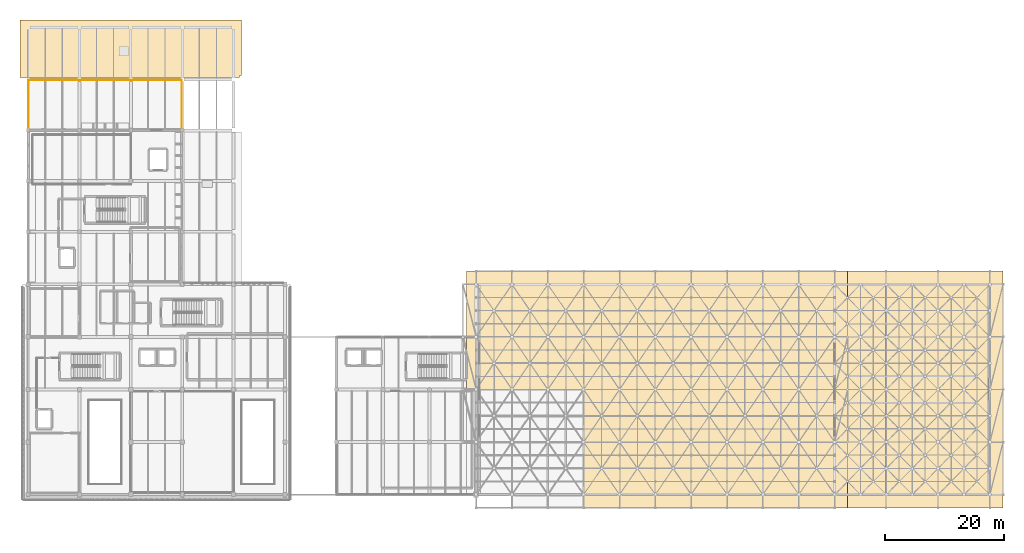
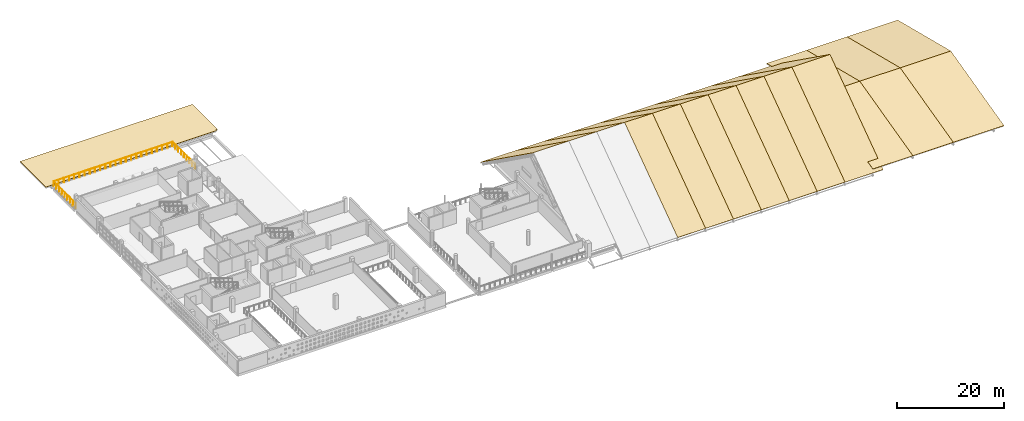
# One storey, part 55 of 55: 24 coverings, 3 railings.
"""IFC4 building model written with IfcOpenShell, lengths in metres."""

from ifc_helpers import new_model, si_unit, direction, frame, origin, origin_2d, place, context, subcontext, project, spatial, polyline, circle, outline, extrude, material, layer, layer_set, type_object, element, save


model = new_model("IFC4")

# Units and contexts
model_context = context("Model", 3, precision=1e-05, world=origin(), true_north=direction((0.0, 1.0)))
body_context = subcontext(model_context, "Body", "Model", "MODEL_VIEW")
ifc_project = project(units=[si_unit("LENGTHUNIT", "METRE"), si_unit("AREAUNIT", "SQUARE_METRE"), si_unit("VOLUMEUNIT", "CUBIC_METRE"), si_unit("PLANEANGLEUNIT", "RADIAN"), si_unit("MASSUNIT", "GRAM", prefix="KILO")], contexts=[model_context])

# Site, building, storey
site_placement = place(None, origin())
site = spatial("IfcSite", under=ifc_project, at=site_placement, CompositionType="ELEMENT")
building_placement = place(site_placement, origin())
building = spatial("IfcBuilding", under=site, at=building_placement, Name="Varnakota Cinema and Media Centre", CompositionType="ELEMENT")
storey_placement = place(building_placement, frame((0.0, 0.0, 15.60009765625)))
storey = spatial("IfcBuildingStorey", under=building, at=storey_placement, Name="L04", CompositionType="ELEMENT", Elevation=15.60009765625)

# Coverings
ifc_material_1 = material(Name="Pale Tandur limestone cool roof", Category="masonry")
ifc_layer_1 = layer(ifc_material_1, 0.080078125)
ifc_layer_set_1 = layer_set([ifc_layer_1], Name="Pale Tandur limestone cool roof")
covering_type = type_object("IfcCoveringType", Name="COV-COOLROOF-80", PredefinedType="ROOFING", material=ifc_layer_set_1)
covering_1_placement = place(storey_placement, frame((73.39990234375, 17.60009765625, 13.409912109375), z_axis=(0.0, 0.582117022421, 0.813105019175), x_axis=(1.0, 0.0, 0.0)))
element("IfcCovering", 1, at=covering_1_placement, inside=storey, type_object=covering_type, Name="V1 cool-roof acoustic standing-seam panel N-1", PredefinedType="ROOFING", context=body_context, shape_type="SweptSolid", body=[
    extrude(outline(polyline([(0.0, 0.0), (7.60009765625, 0.0), (7.60009765625, 24.35085778659296), (0.0, 24.35085778659296), (0.0, 0.0)])), origin(), (0.0, 0.0, -1.0), 0.080078125),
])
for number, where, z_axis, x_axis, name in (
    (2, (81.0, 17.60009765625, 13.409912109375), (0.0, 0.582117022421, 0.813105019175), (1.0, 0.0, 0.0), "V1 cool-roof acoustic standing-seam panel N-2"),
    (3, (87.0, 17.60009765625, 13.409912109375), (0.0, 0.582117022421, 0.813105019175), (1.0, 0.0, 0.0), "V1 cool-roof acoustic standing-seam panel N-3"),
):
    element("IfcCovering", number, at=place(storey_placement, frame(where, z_axis=z_axis, x_axis=x_axis)), inside=storey, type_object=covering_type, Name=name, PredefinedType="ROOFING", context=body_context, shape_type="SweptSolid", body=[
        extrude(outline(polyline([(0.0, 0.0), (6.0, 0.0), (6.0, 24.35085778659296), (0.0, 24.35085778659296), (0.0, 0.0)])), origin(), (0.0, 0.0, -1.0), 0.080078125),
    ])
covering_2_placement = place(storey_placement, frame((93.0, -2.199951171875, -0.76513671875), z_axis=(0.0, -0.582112276941, 0.813108416531), x_axis=(1.0, 0.0, 0.0)))
element("IfcCovering", 4, at=covering_2_placement, inside=storey, type_object=covering_type, Name="V1 cool-roof acoustic standing-seam panel S-4", PredefinedType="ROOFING", context=body_context, shape_type="SweptSolid", body=[
    extrude(outline(polyline([(0.0, 0.0), (6.0, 0.0), (6.0, 24.351056298975248), (0.0, 24.351056298975248), (0.0, 0.0)])), origin(), (0.0, 0.0, -1.0), 0.080078125),
])
covering_3_placement = place(storey_placement, frame((93.0, 17.60009765625, 13.409912109375), z_axis=(0.0, 0.582117022421, 0.813105019175), x_axis=(1.0, 0.0, 0.0)))
element("IfcCovering", 5, at=covering_3_placement, inside=storey, type_object=covering_type, Name="V1 cool-roof acoustic standing-seam panel N-4", PredefinedType="ROOFING", context=body_context, shape_type="SweptSolid", body=[
    extrude(outline(polyline([(0.0, 0.0), (6.0, 0.0), (6.0, 24.35085778659296), (0.0, 24.35085778659296), (0.0, 0.0)])), origin(), (0.0, 0.0, -1.0), 0.080078125),
])
covering_4_placement = place(storey_placement, frame((99.0, -2.199951171875, -0.76513671875), z_axis=(0.0, -0.582112276941, 0.813108416531), x_axis=(1.0, 0.0, 0.0)))
element("IfcCovering", 6, at=covering_4_placement, inside=storey, type_object=covering_type, Name="V1 cool-roof acoustic standing-seam panel S-5", PredefinedType="ROOFING", context=body_context, shape_type="SweptSolid", body=[
    extrude(outline(polyline([(0.0, 0.0), (6.0, 0.0), (6.0, 24.351056298975248), (0.0, 24.351056298975248), (0.0, 0.0)])), origin(), (0.0, 0.0, -1.0), 0.080078125),
])
covering_5_placement = place(storey_placement, frame((99.0, 17.60009765625, 13.409912109375), z_axis=(0.0, 0.582117022421, 0.813105019175), x_axis=(1.0, 0.0, 0.0)))
element("IfcCovering", 7, at=covering_5_placement, inside=storey, type_object=covering_type, Name="V1 cool-roof acoustic standing-seam panel N-5", PredefinedType="ROOFING", context=body_context, shape_type="SweptSolid", body=[
    extrude(outline(polyline([(0.0, 0.0), (6.0, 0.0), (6.0, 24.35085778659296), (0.0, 24.35085778659296), (0.0, 0.0)])), origin(), (0.0, 0.0, -1.0), 0.080078125),
])
covering_6_placement = place(storey_placement, frame((105.0, -2.199951171875, -0.76513671875), z_axis=(0.0, -0.582112276941, 0.813108416531), x_axis=(1.0, 0.0, 0.0)))
element("IfcCovering", 8, at=covering_6_placement, inside=storey, type_object=covering_type, Name="V1 cool-roof acoustic standing-seam panel S-6", PredefinedType="ROOFING", context=body_context, shape_type="SweptSolid", body=[
    extrude(outline(polyline([(0.0, 0.0), (6.0, 0.0), (6.0, 24.351056298975248), (0.0, 24.351056298975248), (0.0, 0.0)])), origin(), (0.0, 0.0, -1.0), 0.080078125),
])
covering_7_placement = place(storey_placement, frame((105.0, 17.60009765625, 13.409912109375), z_axis=(0.0, 0.582117022421, 0.813105019175), x_axis=(1.0, 0.0, 0.0)))
element("IfcCovering", 9, at=covering_7_placement, inside=storey, type_object=covering_type, Name="V1 cool-roof acoustic standing-seam panel N-6", PredefinedType="ROOFING", context=body_context, shape_type="SweptSolid", body=[
    extrude(outline(polyline([(0.0, 0.0), (6.0, 0.0), (6.0, 24.35085778659296), (0.0, 24.35085778659296), (0.0, 0.0)])), origin(), (0.0, 0.0, -1.0), 0.080078125),
])
covering_8_placement = place(storey_placement, frame((111.0, -2.199951171875, -0.76513671875), z_axis=(0.0, -0.582112276941, 0.813108416531), x_axis=(1.0, 0.0, 0.0)))
element("IfcCovering", 10, at=covering_8_placement, inside=storey, type_object=covering_type, Name="V1 cool-roof acoustic standing-seam panel S-7", PredefinedType="ROOFING", context=body_context, shape_type="SweptSolid", body=[
    extrude(outline(polyline([(0.0, 0.0), (6.0, 0.0), (6.0, 24.351056298975248), (0.0, 24.351056298975248), (0.0, 0.0)])), origin(), (0.0, 0.0, -1.0), 0.080078125),
])
covering_9_placement = place(storey_placement, frame((111.0, 17.60009765625, 13.409912109375), z_axis=(0.0, 0.582117022421, 0.813105019175), x_axis=(1.0, 0.0, 0.0)))
element("IfcCovering", 11, at=covering_9_placement, inside=storey, type_object=covering_type, Name="V1 cool-roof acoustic standing-seam panel N-7", PredefinedType="ROOFING", context=body_context, shape_type="SweptSolid", body=[
    extrude(outline(polyline([(0.0, 0.0), (6.0, 0.0), (6.0, 24.35085778659296), (0.0, 24.35085778659296), (0.0, 0.0)])), origin(), (0.0, 0.0, -1.0), 0.080078125),
])
covering_10_placement = place(storey_placement, frame((117.0, -2.199951171875, -0.76513671875), z_axis=(0.0, -0.582112276941, 0.813108416531), x_axis=(1.0, 0.0, 0.0)))
element("IfcCovering", 12, at=covering_10_placement, inside=storey, type_object=covering_type, Name="V1 cool-roof acoustic standing-seam panel S-8", PredefinedType="ROOFING", context=body_context, shape_type="SweptSolid", body=[
    extrude(outline(polyline([(0.0, 0.0), (6.0, 0.0), (6.0, 24.351056298975248), (0.0, 24.351056298975248), (0.0, 0.0)])), origin(), (0.0, 0.0, -1.0), 0.080078125),
])
covering_11_placement = place(storey_placement, frame((117.0, 17.60009765625, 13.409912109375), z_axis=(0.0, 0.582117022421, 0.813105019175), x_axis=(1.0, 0.0, 0.0)))
element("IfcCovering", 13, at=covering_11_placement, inside=storey, type_object=covering_type, Name="V1 cool-roof acoustic standing-seam panel N-8", PredefinedType="ROOFING", context=body_context, shape_type="SweptSolid", body=[
    extrude(outline(polyline([(0.0, 0.0), (6.0, 0.0), (6.0, 24.35085778659296), (0.0, 24.35085778659296), (0.0, 0.0)])), origin(), (0.0, 0.0, -1.0), 0.080078125),
])
covering_12_placement = place(storey_placement, frame((123.0, -2.199951171875, -0.76513671875), z_axis=(0.0, -0.582112276941, 0.813108416531), x_axis=(1.0, 0.0, 0.0)))
element("IfcCovering", 14, at=covering_12_placement, inside=storey, type_object=covering_type, Name="V1 cool-roof acoustic standing-seam panel S-9", PredefinedType="ROOFING", context=body_context, shape_type="SweptSolid", body=[
    extrude(outline(polyline([(0.0, 0.0), (6.0, 0.0), (6.0, 24.351056298975248), (0.0, 24.351056298975248), (0.0, 0.0)])), origin(), (0.0, 0.0, -1.0), 0.080078125),
])
covering_13_placement = place(storey_placement, frame((123.0, 17.60009765625, 13.409912109375), z_axis=(0.0, 0.582117022421, 0.813105019175), x_axis=(1.0, 0.0, 0.0)))
element("IfcCovering", 15, at=covering_13_placement, inside=storey, type_object=covering_type, Name="V1 cool-roof acoustic standing-seam panel N-9", PredefinedType="ROOFING", context=body_context, shape_type="SweptSolid", body=[
    extrude(outline(polyline([(0.0, 0.0), (6.0, 0.0), (6.0, 24.35085778659296), (0.0, 24.35085778659296), (0.0, 0.0)])), origin(), (0.0, 0.0, -1.0), 0.080078125),
])
covering_14_placement = place(storey_placement, frame((129.0, -2.199951171875, -0.76513671875), z_axis=(0.0, -0.582112276941, 0.813108416531), x_axis=(1.0, 0.0, 0.0)))
element("IfcCovering", 16, at=covering_14_placement, inside=storey, type_object=covering_type, Name="V1 cool-roof acoustic standing-seam panel S-10", PredefinedType="ROOFING", context=body_context, shape_type="SweptSolid", body=[
    extrude(outline(polyline([(0.0, 0.0), (8.199951171875, 0.0), (8.199951171875, 24.351056298975248), (0.0, 24.351056298975248), (0.0, 0.0)])), origin(), (0.0, 0.0, -1.0), 0.080078125),
])
covering_15_placement = place(storey_placement, frame((129.0, 17.60009765625, 13.409912109375), z_axis=(0.0, 0.582117022421, 0.813105019175), x_axis=(1.0, 0.0, 0.0)))
element("IfcCovering", 17, at=covering_15_placement, inside=storey, type_object=covering_type, Name="V1 cool-roof acoustic standing-seam panel N-10", PredefinedType="ROOFING", context=body_context, shape_type="SweptSolid", body=[
    extrude(outline(polyline([(0.0, 0.0), (8.199951171875, 0.0), (8.199951171875, 24.35085778659296), (0.0, 24.35085778659296), (0.0, 0.0)])), origin(), (0.0, 0.0, -1.0), 0.080078125),
])
covering_16_placement = place(storey_placement, frame((135.0, -2.199951171875, 0.1298828125), z_axis=(0.0, -0.242532810409, 0.970143203798), x_axis=(1.0, 0.0, 0.0)))
element("IfcCovering", 18, at=covering_16_placement, inside=storey, type_object=covering_type, Name="V2 cool-roof standing-seam panel S-1", PredefinedType="ROOFING", context=body_context, shape_type="SweptSolid", body=[
    extrude(outline(polyline([(0.0, 0.0), (8.60009765625, 0.0), (8.60009765625, 20.409408374572763), (0.0, 20.409408374572763), (0.0, 0.0)])), origin(), (0.0, 0.0, -1.0), 0.080078125),
])
covering_17_placement = place(storey_placement, frame((135.0, 17.60009765625, 5.079833984375), z_axis=(0.0, 0.242535625036, 0.970142500145), x_axis=(1.0, 0.0, 0.0)))
element("IfcCovering", 19, at=covering_17_placement, inside=storey, type_object=covering_type, Name="V2 cool-roof standing-seam panel N-1", PredefinedType="ROOFING", context=body_context, shape_type="SweptSolid", body=[
    extrude(outline(polyline([(0.0, 0.0), (8.60009765625, 0.0), (8.60009765625, 20.40917152329054), (0.0, 20.40917152329054), (0.0, 0.0)])), origin(), (0.0, 0.0, -1.0), 0.080078125),
])
covering_18_placement = place(storey_placement, frame((143.60009765625, -2.199951171875, 0.1298828125), z_axis=(0.0, -0.242532810409, 0.970143203798), x_axis=(1.0, 0.0, 0.0)))
element("IfcCovering", 20, at=covering_18_placement, inside=storey, type_object=covering_type, Name="V2 cool-roof standing-seam panel S-2", PredefinedType="ROOFING", context=body_context, shape_type="SweptSolid", body=[
    extrude(outline(polyline([(0.0, 0.0), (8.699951171875, 0.0), (8.699951171875, 20.409408374572763), (0.0, 20.409408374572763), (0.0, 0.0)])), origin(), (0.0, 0.0, -1.0), 0.080078125),
])
covering_19_placement = place(storey_placement, frame((143.60009765625, 17.60009765625, 5.079833984375), z_axis=(0.0, 0.242535625036, 0.970142500145), x_axis=(1.0, 0.0, 0.0)))
element("IfcCovering", 21, at=covering_19_placement, inside=storey, type_object=covering_type, Name="V2 cool-roof standing-seam panel N-2", PredefinedType="ROOFING", context=body_context, shape_type="SweptSolid", body=[
    extrude(outline(polyline([(0.0, 0.0), (8.699951171875, 0.0), (8.699951171875, 20.409171523290542), (0.0, 20.409171523290542), (0.0, 0.0)])), origin(), (0.0, 0.0, -1.0), 0.080078125),
])
covering_20_placement = place(storey_placement, frame((152.300048828125, -2.199951171875, 0.1298828125), z_axis=(0.0, -0.242532810409, 0.970143203798), x_axis=(1.0, 0.0, 0.0)))
element("IfcCovering", 22, at=covering_20_placement, inside=storey, type_object=covering_type, Name="V2 cool-roof standing-seam panel S-3", PredefinedType="ROOFING", context=body_context, shape_type="SweptSolid", body=[
    extrude(outline(polyline([(0.0, 0.0), (10.89990234375, 0.0), (10.89990234375, 20.409408374572767), (0.0, 20.409408374572767), (0.0, 0.0)])), origin(), (0.0, 0.0, -1.0), 0.080078125),
])
covering_21_placement = place(storey_placement, frame((152.300048828125, 17.60009765625, 5.079833984375), z_axis=(0.0, 0.242535625036, 0.970142500145), x_axis=(1.0, 0.0, 0.0)))
element("IfcCovering", 23, at=covering_21_placement, inside=storey, type_object=covering_type, Name="V2 cool-roof standing-seam panel N-3", PredefinedType="ROOFING", context=body_context, shape_type="SweptSolid", body=[
    extrude(outline(polyline([(0.0, 0.0), (10.89990234375, 0.0), (10.89990234375, 20.409171523290542), (0.0, 20.409171523290542), (0.0, 0.0)])), origin(), (0.0, 0.0, -1.0), 0.080078125),
])
covering_22_placement = place(storey_placement, origin())
element("IfcCovering", 24, at=covering_22_placement, inside=storey, type_object=covering_type, Name="L04 cool roof membrane ROOF-V5-STAGE-N", PredefinedType="ROOFING", context=body_context, shape_type="SweptSolid", body=[
    extrude(outline(polyline([(-1.35009765625, 69.800048828125), (35.39990234375, 69.800048828125), (35.39990234375, 70.14990234375), (35.75, 70.14990234375), (35.75, 79.449951171875), (-1.35009765625, 79.449951171875), (-1.35009765625, 69.800048828125)])), origin(), (0.0, 0.0, 1.0), 0.079833984375),
])

# Railings
ifc_material_2 = material(Name="Anodised golden-bronze steel Grade 350 (E350)", Category="steel")
ifc_layer_2 = layer(ifc_material_2, 0.050048828125)
ifc_layer_set_2 = layer_set([ifc_layer_2], Name="Anodised golden-bronze steel Grade 350 (E350)")
railing_type = type_object("IfcRailingType", Name="RAIL-GUARD-1150", PredefinedType="BALUSTRADE", material=ifc_layer_set_2)
railing_1_placement = place(storey_placement, frame((0.080078125, 61.1298828125, 0.0)))
element("IfcRailing", 25, at=railing_1_placement, inside=storey, type_object=railing_type, Name="L04 guard balustrade GRD-L04-REF-1", PredefinedType="BALUSTRADE", context=body_context, shape_type="SweptSolid", body=[
    extrude(circle(Radius=0.02392578125, at=origin_2d()), frame((0.0, 0.0, 1.1259765625), z_axis=(0.0, 1.0, 0.0), x_axis=(-1.0, 0.0, 0.0)), (0.0, 0.0, 1.0), 8.260009765625),
    extrude(circle(Radius=0.02099609375, at=origin_2d()), origin(), (0.0, 0.0, 1.0), 1.101806640625),
    extrude(circle(Radius=0.02099609375, at=origin_2d()), frame((0.0, 1.032470703125, 0.0)), (0.0, 0.0, 1.0), 1.101806640625),
    extrude(circle(Radius=0.02099609375, at=origin_2d()), frame((0.0, 2.06494140625, 0.0)), (0.0, 0.0, 1.0), 1.101806640625),
    extrude(circle(Radius=0.02099609375, at=origin_2d()), frame((0.0, 3.097412109375, 0.0)), (0.0, 0.0, 1.0), 1.101806640625),
    extrude(circle(Radius=0.02099609375, at=origin_2d()), frame((0.0, 4.1298828125, 0.0)), (0.0, 0.0, 1.0), 1.101806640625),
    extrude(circle(Radius=0.02099609375, at=origin_2d()), frame((0.0, 5.16259765625, 0.0)), (0.0, 0.0, 1.0), 1.101806640625),
    extrude(circle(Radius=0.02099609375, at=origin_2d()), frame((0.0, 6.195068359375, 0.0)), (0.0, 0.0, 1.0), 1.101806640625),
    extrude(circle(Radius=0.02099609375, at=origin_2d()), frame((0.0, 7.2275390625, 0.0)), (0.0, 0.0, 1.0), 1.101806640625),
    extrude(circle(Radius=0.02099609375, at=origin_2d()), frame((0.0, 8.260009765625, 0.0)), (0.0, 0.0, 1.0), 1.101806640625),
])
railing_2_placement = place(storey_placement, frame((0.110107421875, 69.419921875, 0.0)))
element("IfcRailing", 26, at=railing_2_placement, inside=storey, type_object=railing_type, Name="L04 guard balustrade GRD-L04-REF-2", PredefinedType="BALUSTRADE", context=body_context, shape_type="SweptSolid", body=[
    extrude(circle(Radius=0.02392578125, at=origin_2d()), frame((0.0, 0.0, 1.1259765625), z_axis=(1.0, 0.0, 0.0), x_axis=(0.0, 1.0, 0.0)), (0.0, 0.0, 1.0), 25.579833984375),
    extrude(circle(Radius=0.02099609375, at=origin_2d()), origin(), (0.0, 0.0, 1.0), 1.101806640625),
    extrude(circle(Radius=0.02099609375, at=origin_2d()), frame((1.112060546875, 0.0, 0.0)), (0.0, 0.0, 1.0), 1.101806640625),
    extrude(circle(Radius=0.02099609375, at=origin_2d()), frame((2.224365234375, 0.0, 0.0)), (0.0, 0.0, 1.0), 1.101806640625),
    extrude(circle(Radius=0.02099609375, at=origin_2d()), frame((3.33642578125, 0.0, 0.0)), (0.0, 0.0, 1.0), 1.101806640625),
    extrude(circle(Radius=0.02099609375, at=origin_2d()), frame((4.44873046875, 0.0, 0.0)), (0.0, 0.0, 1.0), 1.101806640625),
    extrude(circle(Radius=0.02099609375, at=origin_2d()), frame((5.560791015625, 0.0, 0.0)), (0.0, 0.0, 1.0), 1.101806640625),
    extrude(circle(Radius=0.02099609375, at=origin_2d()), frame((6.673095703125, 0.0, 0.0)), (0.0, 0.0, 1.0), 1.101806640625),
    extrude(circle(Radius=0.02099609375, at=origin_2d()), frame((7.78515625, 0.0, 0.0)), (0.0, 0.0, 1.0), 1.101806640625),
    extrude(circle(Radius=0.02099609375, at=origin_2d()), frame((8.897216796875, 0.0, 0.0)), (0.0, 0.0, 1.0), 1.101806640625),
    extrude(circle(Radius=0.02099609375, at=origin_2d()), frame((10.009521484375, 0.0, 0.0)), (0.0, 0.0, 1.0), 1.101806640625),
    extrude(circle(Radius=0.02099609375, at=origin_2d()), frame((11.12158203125, 0.0, 0.0)), (0.0, 0.0, 1.0), 1.101806640625),
    extrude(circle(Radius=0.02099609375, at=origin_2d()), frame((12.23388671875, 0.0, 0.0)), (0.0, 0.0, 1.0), 1.101806640625),
    extrude(circle(Radius=0.02099609375, at=origin_2d()), frame((13.345947265625, 0.0, 0.0)), (0.0, 0.0, 1.0), 1.101806640625),
    extrude(circle(Radius=0.02099609375, at=origin_2d()), frame((14.458251953125, 0.0, 0.0)), (0.0, 0.0, 1.0), 1.101806640625),
    extrude(circle(Radius=0.02099609375, at=origin_2d()), frame((15.5703125, 0.0, 0.0)), (0.0, 0.0, 1.0), 1.101806640625),
    extrude(circle(Radius=0.02099609375, at=origin_2d()), frame((16.6826171875, 0.0, 0.0)), (0.0, 0.0, 1.0), 1.101806640625),
    extrude(circle(Radius=0.02099609375, at=origin_2d()), frame((17.794677734375, 0.0, 0.0)), (0.0, 0.0, 1.0), 1.101806640625),
    extrude(circle(Radius=0.02099609375, at=origin_2d()), frame((18.90673828125, 0.0, 0.0)), (0.0, 0.0, 1.0), 1.101806640625),
    extrude(circle(Radius=0.02099609375, at=origin_2d()), frame((20.01904296875, 0.0, 0.0)), (0.0, 0.0, 1.0), 1.101806640625),
    extrude(circle(Radius=0.02099609375, at=origin_2d()), frame((21.131103515625, 0.0, 0.0)), (0.0, 0.0, 1.0), 1.101806640625),
    extrude(circle(Radius=0.02099609375, at=origin_2d()), frame((22.243408203125, 0.0, 0.0)), (0.0, 0.0, 1.0), 1.101806640625),
    extrude(circle(Radius=0.02099609375, at=origin_2d()), frame((23.35546875, 0.0, 0.0)), (0.0, 0.0, 1.0), 1.101806640625),
    extrude(circle(Radius=0.02099609375, at=origin_2d()), frame((24.4677734375, 0.0, 0.0)), (0.0, 0.0, 1.0), 1.101806640625),
    extrude(circle(Radius=0.02099609375, at=origin_2d()), frame((25.579833984375, 0.0, 0.0)), (0.0, 0.0, 1.0), 1.101806640625),
])
railing_3_placement = place(storey_placement, frame((25.719970703125, 69.389892578125, 0.0)))
element("IfcRailing", 27, at=railing_3_placement, inside=storey, type_object=railing_type, Name="L04 guard balustrade GRD-L04-REF-3", PredefinedType="BALUSTRADE", context=body_context, shape_type="SweptSolid", body=[
    extrude(circle(Radius=0.02392578125, at=origin_2d()), frame((0.0, 0.0, 1.1259765625), z_axis=(0.0, -1.0, 0.0), x_axis=(1.0, 0.0, 0.0)), (0.0, 0.0, 1.0), 8.260009765625),
    extrude(circle(Radius=0.02099609375, at=origin_2d()), origin(), (0.0, 0.0, 1.0), 1.101806640625),
    extrude(circle(Radius=0.02099609375, at=origin_2d()), frame((0.0, -1.032470703125, 0.0)), (0.0, 0.0, 1.0), 1.101806640625),
    extrude(circle(Radius=0.02099609375, at=origin_2d()), frame((0.0, -2.06494140625, 0.0)), (0.0, 0.0, 1.0), 1.101806640625),
    extrude(circle(Radius=0.02099609375, at=origin_2d()), frame((0.0, -3.097412109375, 0.0)), (0.0, 0.0, 1.0), 1.101806640625),
    extrude(circle(Radius=0.02099609375, at=origin_2d()), frame((0.0, -4.1298828125, 0.0)), (0.0, 0.0, 1.0), 1.101806640625),
    extrude(circle(Radius=0.02099609375, at=origin_2d()), frame((0.0, -5.16259765625, 0.0)), (0.0, 0.0, 1.0), 1.101806640625),
    extrude(circle(Radius=0.02099609375, at=origin_2d()), frame((0.0, -6.195068359375, 0.0)), (0.0, 0.0, 1.0), 1.101806640625),
    extrude(circle(Radius=0.02099609375, at=origin_2d()), frame((0.0, -7.2275390625, 0.0)), (0.0, 0.0, 1.0), 1.101806640625),
    extrude(circle(Radius=0.02099609375, at=origin_2d()), frame((0.0, -8.260009765625, 0.0)), (0.0, 0.0, 1.0), 1.101806640625),
])

save(model, "model.ifc")
